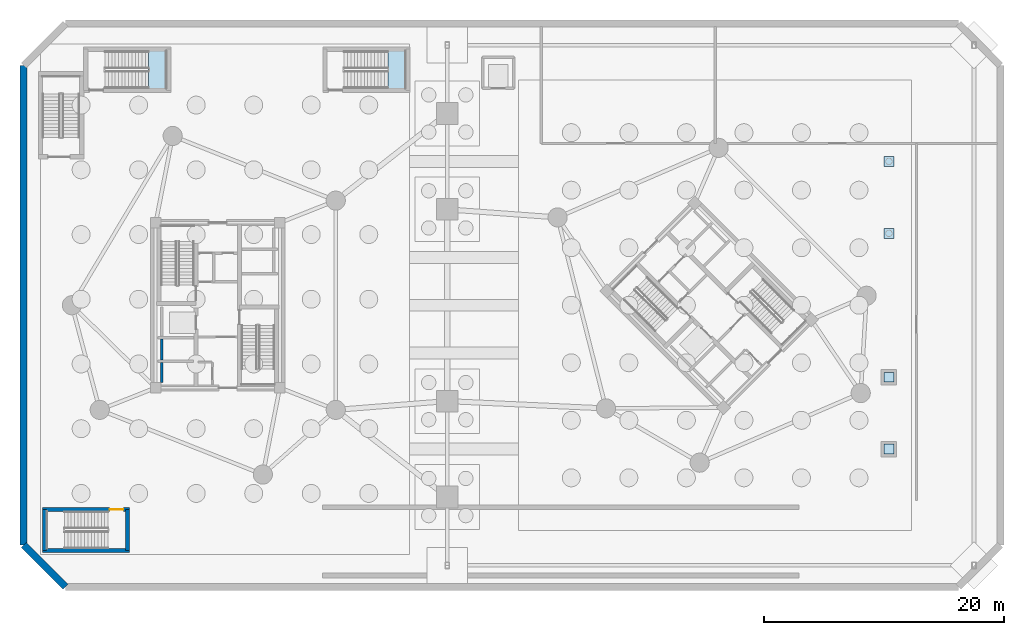
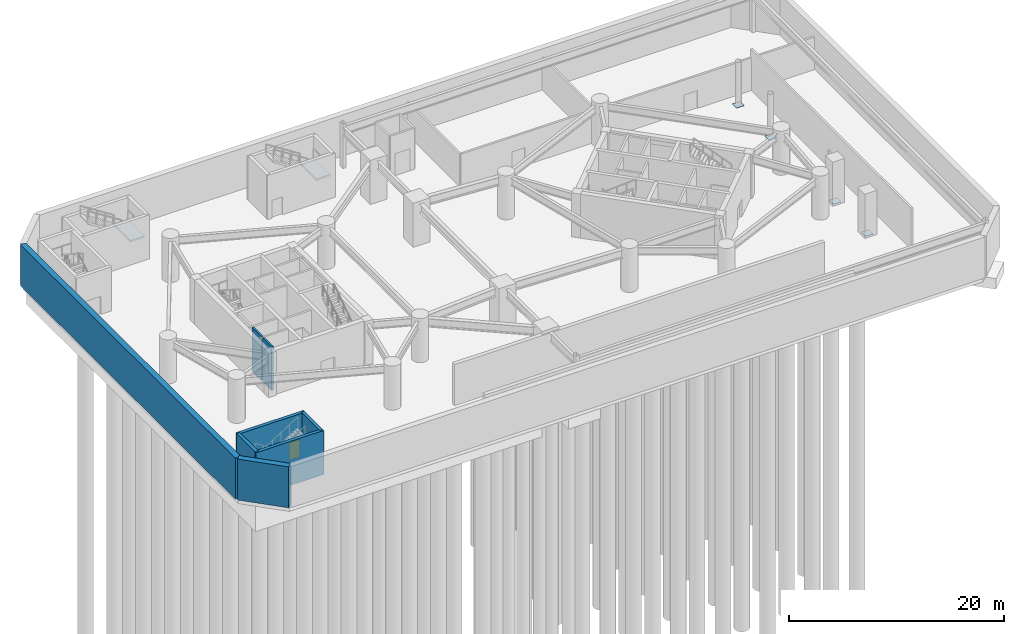
# One storey, part 5 of 15: 8 walls, 4 plates, 2 slabs, 1 door, 1 opening, 2 elements without a shape of their own.
"""IFC4 building model written with IfcOpenShell, lengths in metres."""

import ifcopenshell
import ifcopenshell.guid

model = None  # the IFC model being written
_history = None  # IfcOwnerHistory: only IFC2X3 demands one
_inside = {}  # id of a spatial element -> (the spatial element, [elements in it])
_under = {}  # id of a project, library or spatial element -> (it, [spatial elements below it])
_declared = {}  # id of a project -> (the project, [libraries it declares])
_typed = {}  # id of a type object -> (the type object, [elements of that type])
_made_of = {}  # id of a material, layer set ... -> (it, [elements and type objects made of it])


def new_model(schema):
    """Start an empty IFC model of exactly this schema.

    Asked for "IFC4X3", IfcOpenShell would pick the latest addendum, in which some entities
    have other attributes; the version numbers below select the first issue.
    IFC2X3 requires an IfcOwnerHistory on every rooted entity: one is made here for all.
    """
    global model, _history
    if schema == "IFC4X3":
        model = ifcopenshell.file(schema_version=(4, 3, 0, 0))
    else:
        model = ifcopenshell.file(schema=schema)
    _inside.clear()
    _under.clear()
    _declared.clear()
    _typed.clear()
    _made_of.clear()
    _history = None
    if model.schema == "IFC2X3":
        org = make("IfcOrganization", Name="unknown")
        user = make(
            "IfcPersonAndOrganization",
            ThePerson=make("IfcPerson", FamilyName="unknown"),
            TheOrganization=org,
        )
        app = make(
            "IfcApplication",
            ApplicationDeveloper=org,
            Version="unknown",
            ApplicationFullName="unknown",
            ApplicationIdentifier="unknown",
        )
        _history = make(
            "IfcOwnerHistory",
            OwningUser=user,
            OwningApplication=app,
            ChangeAction="ADDED",
            CreationDate=0,
        )
    return model


def make(cls, **values):
    """One entity of the class cls with the attributes given. An attribute that is None is left unset."""
    return model.create_entity(
        cls, **{name: value for name, value in values.items() if value is not None}
    )


def rooted(cls, **values):
    """An entity with a GlobalId (a new one), such as an element, a storey or a relation."""
    return make(cls, GlobalId=ifcopenshell.guid.new(), OwnerHistory=_history, **values)


def si_unit(unit_type, name, prefix=None):
    """IfcSIUnit, for example si_unit("LENGTHUNIT", "METRE", prefix="MILLI")."""
    return make("IfcSIUnit", UnitType=unit_type, Prefix=prefix, Name=name)


def assignment(units):
    """IfcUnitAssignment: the units of a project."""
    return None if units is None else make("IfcUnitAssignment", Units=units)


def point(xyz):
    """IfcCartesianPoint."""
    return None if xyz is None else make("IfcCartesianPoint", Coordinates=xyz)


def direction(xyz):
    """IfcDirection."""
    return None if xyz is None else make("IfcDirection", DirectionRatios=xyz)


def frame(location, z_axis=None, x_axis=None):
    """IfcAxis2Placement3D, a coordinate frame: its origin and axes. An axis left out is left unset."""
    return make(
        "IfcAxis2Placement3D",
        Location=point(location),
        Axis=direction(z_axis),
        RefDirection=direction(x_axis),
    )


def frame_2d(location, x_axis=None):
    """IfcAxis2Placement2D, a coordinate frame in the plane: its origin and x axis."""
    return make(
        "IfcAxis2Placement2D", Location=point(location), RefDirection=direction(x_axis)
    )


def origin():
    """The frame at (0, 0, 0) with its axes left unset."""
    return frame((0.0, 0.0, 0.0))


def origin_2d():
    """The frame at (0, 0) in the plane with its x axis left unset."""
    return frame_2d((0.0, 0.0))


def place(relative_to, where):
    """IfcLocalPlacement: puts the frame where relative to a parent placement (None: the world)."""
    return make(
        "IfcLocalPlacement", PlacementRelTo=relative_to, RelativePlacement=where
    )


def context(
    kind, dimensions, precision=None, world=None, true_north=None, identifier=None
):
    """IfcGeometricRepresentationContext, for example the 3D "Model" context."""
    return make(
        "IfcGeometricRepresentationContext",
        ContextIdentifier=identifier,
        ContextType=kind,
        CoordinateSpaceDimension=dimensions,
        Precision=precision,
        WorldCoordinateSystem=world,
        TrueNorth=true_north,
    )


def subcontext(parent, identifier, kind, view, scale=None):
    """IfcGeometricRepresentationSubContext, for example "Body" below "Model"."""
    return make(
        "IfcGeometricRepresentationSubContext",
        ContextIdentifier=identifier,
        ContextType=kind,
        ParentContext=parent,
        TargetScale=scale,
        TargetView=view,
    )


def project(units=None, contexts=None):
    """IfcProject with its units and contexts."""
    return rooted(
        "IfcProject",
        Name="project",
        RepresentationContexts=contexts,
        UnitsInContext=assignment(units),
    )


def spatial(cls, under=None, at=None, **own):
    """A site, building, storey or space (cls), placed at a placement, below another one or the project."""
    s = rooted(cls, ObjectPlacement=at, **own)
    if under is not None:
        _under.setdefault(under.id(), (under, []))[1].append(s)
    return s


def polyline(points):
    """IfcPolyline through the points."""
    return make("IfcPolyline", Points=[point(p) for p in points])


def profile(cls, at=None, kind="AREA", **sizes):
    """A parametric profile (cls). Its sizes go by their IFC names, for example OverallWidth=200.0."""
    return make(cls, ProfileType=kind, Position=at, **sizes)


def rectangle(**sizes):
    """IfcRectangleProfileDef."""
    return profile("IfcRectangleProfileDef", **sizes)


def outline(outer, holes=None, kind="AREA"):
    """IfcArbitraryClosedProfileDef: a profile drawn as a closed curve; with holes, ...WithVoids."""
    if holes is None:
        return make("IfcArbitraryClosedProfileDef", ProfileType=kind, OuterCurve=outer)
    return make(
        "IfcArbitraryProfileDefWithVoids",
        ProfileType=kind,
        OuterCurve=outer,
        InnerCurves=holes,
    )


def extrude(swept, where, along, depth):
    """IfcExtrudedAreaSolid: the profile swept, set in the frame where, extruded along a direction by depth."""
    return make(
        "IfcExtrudedAreaSolid",
        SweptArea=swept,
        Position=where,
        ExtrudedDirection=direction(along),
        Depth=depth,
    )


def shape(context_of_items, identifier, shape_type, items):
    """IfcShapeRepresentation: the items that make up one representation, for example the "Body"."""
    return make(
        "IfcShapeRepresentation",
        ContextOfItems=context_of_items,
        RepresentationIdentifier=identifier,
        RepresentationType=shape_type,
        Items=items,
    )


def source(mapping_origin, context_of_items, identifier, shape_type, items):
    """IfcRepresentationMap: a shape defined once, which mapped items show again and again."""
    return make(
        "IfcRepresentationMap",
        MappingOrigin=mapping_origin,
        MappedRepresentation=shape(context_of_items, identifier, shape_type, items),
    )


def transform(
    local_origin,
    x_axis=None,
    y_axis=None,
    z_axis=None,
    scale=None,
    scale2=None,
    scale3=None,
    uniform=True,
):
    """IfcCartesianTransformationOperator3D, or its non-uniform kind. x_axis, y_axis, z_axis: its Axis1, 2, 3."""
    if uniform:
        return make(
            "IfcCartesianTransformationOperator3D",
            Axis1=direction(x_axis),
            Axis2=direction(y_axis),
            LocalOrigin=point(local_origin),
            Scale=scale,
            Axis3=direction(z_axis),
        )
    return make(
        "IfcCartesianTransformationOperator3DnonUniform",
        Axis1=direction(x_axis),
        Axis2=direction(y_axis),
        LocalOrigin=point(local_origin),
        Scale=scale,
        Axis3=direction(z_axis),
        Scale2=scale2,
        Scale3=scale3,
    )


def mapped(mapping_source, mapping_target):
    """IfcMappedItem: shows the shape of a source again, moved by a transform."""
    return make(
        "IfcMappedItem", MappingSource=mapping_source, MappingTarget=mapping_target
    )


def material(Name=None, Category=None):
    """IfcMaterial."""
    return make("IfcMaterial", Name=Name, Category=Category)


def layer(
    of_material, thickness, ventilated=None, Name=None, Category=None, Priority=None
):
    """IfcMaterialLayer: one layer of a wall or slab, of a material (None: an air gap)."""
    return make(
        "IfcMaterialLayer",
        Material=of_material,
        LayerThickness=thickness,
        IsVentilated=ventilated,
        Name=Name,
        Category=Category,
        Priority=Priority,
    )


def layer_set(layers, Name=None):
    """IfcMaterialLayerSet."""
    return make("IfcMaterialLayerSet", MaterialLayers=layers, LayerSetName=Name)


def made_of(thing, what):
    """Note that an element or type object is made of a material, layer set ...; save() writes the relation."""
    if what is not None:
        _made_of.setdefault(what.id(), (what, []))[1].append(thing)
    return thing


def type_object(cls, material=None, **own):
    """A type object (cls), such as IfcWallType, which elements share."""
    return made_of(rooted(cls, **own), material)


def element(
    cls,
    number,
    at=None,
    inside=None,
    cuts=None,
    type_object=None,
    material=None,
    context=None,
    identifier="Body",
    shape_type=None,
    held_by="IfcProductDefinitionShape",
    body=None,
    shapes=None,
    **own,
):
    """One element of the class cls, such as IfcWall. Its Tag is "e" and its number.

    at: its placement. inside: the storey or other place that contains it. cuts: it is an
    opening in that element (IfcRelVoidsElement). A single representation is given by context,
    identifier, shape_type and body (its items); several are given by shapes. held_by: the class
    of the entity that holds the representations. save() writes the other relations.
    """
    e = rooted(cls, Tag="e%d" % number, ObjectPlacement=at, **own)
    if body is not None:
        shapes = [shape(context, identifier, shape_type, body)]
    if shapes is not None:
        e.Representation = make(held_by, Representations=shapes)
    if inside is not None:
        _inside.setdefault(inside.id(), (inside, []))[1].append(e)
    if cuts is not None:
        rooted(
            "IfcRelVoidsElement", RelatingBuildingElement=cuts, RelatedOpeningElement=e
        )
    if type_object is not None:
        _typed.setdefault(type_object.id(), (type_object, []))[1].append(e)
    return made_of(e, material)


def fill(opening, filler):
    """IfcRelFillsElement: the door or window that sits in an opening."""
    return rooted(
        "IfcRelFillsElement",
        RelatingOpeningElement=opening,
        RelatedBuildingElement=filler,
    )


def aggregate(whole, parts):
    """IfcRelAggregates: a whole, such as a stair, and the parts it consists of."""
    return rooted("IfcRelAggregates", RelatingObject=whole, RelatedObjects=parts)


def save(model, path):
    """Write the relations noted so far, then the file.

    IfcRelAggregates (storeys below a building ...), IfcRelContainedInSpatialStructure (elements
    in a storey), IfcRelDefinesByType, IfcRelAssociatesMaterial and IfcRelDeclares: one each for
    every whole, place, type object, material and project.
    """
    for whole, parts in _under.values():
        aggregate(whole, parts)
    for where, things in _inside.values():
        rooted(
            "IfcRelContainedInSpatialStructure",
            RelatedElements=things,
            RelatingStructure=where,
        )
    for kind, things in _typed.values():
        rooted("IfcRelDefinesByType", RelatedObjects=things, RelatingType=kind)
    for what, things in _made_of.values():
        rooted("IfcRelAssociatesMaterial", RelatedObjects=things, RelatingMaterial=what)
    for by, libraries in _declared.values():
        rooted("IfcRelDeclares", RelatingContext=by, RelatedDefinitions=libraries)
    model.write(path)


model = new_model("IFC4")

# Units and contexts
model_context = context("Model", 3, precision=1e-05, world=origin(), true_north=direction((0.0, 1.0)))
body_context = subcontext(model_context, "Body", "Model", "MODEL_VIEW")
ifc_project = project(units=[si_unit("LENGTHUNIT", "METRE"), si_unit("AREAUNIT", "SQUARE_METRE"), si_unit("VOLUMEUNIT", "CUBIC_METRE"), si_unit("PLANEANGLEUNIT", "RADIAN"), si_unit("MASSUNIT", "GRAM", prefix="KILO")], contexts=[model_context])

# Site, building, storey
site_placement = place(None, origin())
site = spatial("IfcSite", under=ifc_project, at=site_placement, CompositionType="ELEMENT")
building_placement = place(site_placement, origin())
building = spatial("IfcBuilding", under=site, at=building_placement, Name="Cununo Teusaquillo Station Towers", CompositionType="ELEMENT")
storey_placement = place(building_placement, frame((0.0, 0.0, -10.0)))
storey = spatial("IfcBuildingStorey", under=building, at=storey_placement, Name="B02", CompositionType="ELEMENT", Elevation=-10.0)

# Stair, slab
ifc_material_1 = material(Name="Concrete C50/60", Category="concrete")
stair_type = type_object("IfcStairType", Name="ST-POD-1450", PredefinedType="HALF_TURN_STAIR", material=ifc_material_1)
stair_1_placement = place(storey_placement, origin())
stair_1 = element("IfcStair", 1, at=stair_1_placement, inside=storey, type_object=stair_type, Name="B02 Station Podium North Protected Exit Stair", PredefinedType="HALF_TURN_STAIR")
ifc_material_2 = material(Name="Concrete C50/60", Category="concrete")
ifc_layer_1 = layer(ifc_material_2, 0.199951171875)
ifc_layer_set_1 = layer_set([ifc_layer_1], Name="Concrete C50/60")
slab_type = type_object("IfcSlabType", Name="SLB-STAIR-LND", PredefinedType="LANDING", material=ifc_layer_set_1)
slab_1_placement = place(storey_placement, frame((0.0, 0.0, 2.300048828125)))
slab_1 = element("IfcSlab", 2, at=slab_1_placement, type_object=slab_type, Name="ST-POD-N landing 1", PredefinedType="LANDING", context=body_context, shape_type="SweptSolid", body=[
    extrude(outline(polyline([(30.68994140625, 42.60009765625), (32.199951171875, 42.60009765625), (32.199951171875, 45.699951171875), (30.68994140625, 45.699951171875), (30.68994140625, 42.60009765625)])), origin(), (0.0, 0.0, 1.0), 0.199951171875),
])
aggregate(stair_1, [slab_1])

stair_2_placement = place(storey_placement, origin())
stair_2 = element("IfcStair", 3, at=stair_2_placement, inside=storey, type_object=stair_type, Name="B02 Station Podium North-West Protected Exit Stair", PredefinedType="HALF_TURN_STAIR")
slab_2_placement = place(storey_placement, frame((0.0, 0.0, 2.300048828125)))
slab_2 = element("IfcSlab", 4, at=slab_2_placement, type_object=slab_type, Name="ST-POD-C landing 1", PredefinedType="LANDING", context=body_context, shape_type="SweptSolid", body=[
    extrude(outline(polyline([(10.739990234375, 42.60009765625), (12.25, 42.60009765625), (12.25, 45.699951171875), (10.739990234375, 45.699951171875), (10.739990234375, 42.60009765625)])), origin(), (0.0, 0.0, 1.0), 0.199951171875),
])
aggregate(stair_2, [slab_2])

# Plates
ifc_material_3 = material(Name="Steel ASTM A572 Grade 50", Category="steel")
ifc_layer_2 = layer(ifc_material_3, 0.0400390625)
ifc_layer_set_2 = layer_set([ifc_layer_2], Name="Steel ASTM A572 Grade 50")
plate_type = type_object("IfcPlateType", Name="PLT-NODE-CRN1", PredefinedType="USERDEFINED", material=ifc_layer_set_2)
shared_shape_1 = source(origin(), body_context, "Body", "SweptSolid", [
    extrude(rectangle(XDim=0.820068359375, YDim=0.820068359375, at=origin_2d()), origin(), (0.0, 0.0, 1.0), 0.0400390625),
])
for number, where, z_axis, x_axis, name in (
    (5, (72.5, 12.5, -0.0400390625), (0.0, 0.0, 1.0), (1.0, 0.0, 0.0), "B02 East Gallery Column Base Cap Plate 1"),
    (6, (72.5, 18.5, -0.0400390625), (0.0, 0.0, 1.0), (1.0, 0.0, 0.0), "B02 East Gallery Column Base Cap Plate 2"),
    (7, (72.5, 30.5, -0.0400390625), (0.0, 0.0, 1.0), (1.0, 0.0, 0.0), "B02 East Gallery Column Base Cap Plate 3"),
    (8, (72.5, 36.5, -0.0400390625), (0.0, 0.0, 1.0), (1.0, 0.0, 0.0), "B02 East Gallery Column Base Cap Plate 4"),
):
    element("IfcPlate", number, at=place(storey_placement, frame(where, z_axis=z_axis, x_axis=x_axis)), inside=storey, type_object=plate_type, Name=name, ObjectType="GUSSET PLATE", PredefinedType="USERDEFINED", context=body_context, shape_type="MappedRepresentation", body=[
        mapped(shared_shape_1, transform((0.0, 0.0, 0.0), x_axis=(1.0, 0.0, 0.0), y_axis=(0.0, 1.0, 0.0), z_axis=(0.0, 0.0, 1.0), scale=1.0)),
    ])

# Walls
ifc_material_4 = material(Name="Concrete C50/60", Category="concrete")
ifc_layer_3 = layer(ifc_material_4, 0.199951171875)
ifc_layer_set_3 = layer_set([ifc_layer_3], Name="Concrete C50/60")
wall_type_1 = type_object("IfcWallType", Name="WL-CORE-200", PredefinedType="SHEAR", material=ifc_layer_set_3)
wall_1_placement = place(storey_placement, frame((11.820068359375, 19.945068359375, 0.0), z_axis=(0.0, 0.0, 1.0), x_axis=(0.0, 1.0, 0.0)))
element("IfcWall", 9, at=wall_1_placement, inside=storey, type_object=wall_type_1, Name="B02 Tower A High-Rise Lift 2 Shaft Rear Shear Wall", PredefinedType="SHEAR", context=body_context, shape_type="SweptSolid", body=[
    extrude(rectangle(XDim=1.73486328125, YDim=0.199951171875, at=frame_2d((0.867431640625, 0.0))), origin(), (0.0, 0.0, 1.0), 5.0),
])
wall_2_placement = place(storey_placement, frame((11.820068359375, 18.070068359375, 0.0), z_axis=(0.0, 0.0, 1.0), x_axis=(0.0, 1.0, 0.0)))
element("IfcWall", 10, at=wall_2_placement, inside=storey, type_object=wall_type_1, Name="B02 Tower A High-Rise Lift 1 Shaft Rear Shear Wall", PredefinedType="SHEAR", context=body_context, shape_type="SweptSolid", body=[
    extrude(rectangle(XDim=1.635009765625, YDim=0.199951171875, at=frame_2d((0.8173828125, 0.0))), origin(), (0.0, 0.0, 1.0), 5.0),
])
ifc_material_5 = material(Name="Concrete C50/60", Category="concrete")
ifc_layer_4 = layer(ifc_material_5, 0.35009765625)
ifc_layer_set_4 = layer_set([ifc_layer_4], Name="Concrete C50/60")
wall_type_2 = type_object("IfcWallType", Name="WL-CORE-350", PredefinedType="SHEAR", material=ifc_layer_set_4)
wall_3_placement = place(storey_placement, frame((1.860107421875, 4.034912109375, 0.0), z_axis=(0.0, 0.0, 1.0), x_axis=(1.0, 0.0, 0.0)))
element("IfcWall", 11, at=wall_3_placement, inside=storey, type_object=wall_type_2, Name="B02 Podium South Exit Stair Concrete Shaft Wall S", PredefinedType="SHEAR", context=body_context, shape_type="SweptSolid", body=[
    extrude(rectangle(XDim=7.27978515625, YDim=0.35009765625, at=frame_2d((3.639892578125, 0.0))), origin(), (0.0, 0.0, 1.0), 5.0),
])

# Wall, opening, door
wall_4_placement = place(storey_placement, frame((1.860107421875, 7.465087890625, 0.0), z_axis=(0.0, 0.0, 1.0), x_axis=(1.0, 0.0, 0.0)))
wall_4 = element("IfcWall", 12, at=wall_4_placement, inside=storey, type_object=wall_type_2, Name="B02 Podium South Exit Stair Concrete Shaft Wall N", PredefinedType="SHEAR", context=body_context, shape_type="SweptSolid", body=[
    extrude(rectangle(XDim=7.27978515625, YDim=0.35009765625, at=frame_2d((3.639892578125, 0.0))), origin(), (0.0, 0.0, 1.0), 5.0),
])
shared_shape_2 = source(origin(), body_context, "Body", "SweptSolid", [
    extrude(rectangle(XDim=1.14990234375, YDim=2.02001953125, at=frame_2d((0.574951171875, 1.010009765625))), frame((0.0, 0.18505859375, 0.0), z_axis=(0.0, -1.0, 0.0), x_axis=(1.0, 0.0, 0.0)), (0.0, 0.0, 1.0), 0.3701171875),
])
opening_placement = place(wall_4_placement, frame((5.6201171875, 0.0, 0.0)))
opening = element("IfcOpeningElement", 13, at=opening_placement, cuts=wall_4, Name="Opening D-ST1", PredefinedType="OPENING", context=body_context, shape_type="MappedRepresentation", body=[
    mapped(shared_shape_2, transform((0.0, 0.0, 0.0), x_axis=(1.0, 0.0, 0.0), y_axis=(0.0, 1.0, 0.0), z_axis=(0.0, 0.0, 1.0), scale=1.0)),
])
ifc_material_6 = material(Name="Galvanised fire-rated hollow steel door assembly", Category="steel")
door_type = type_object("IfcDoorType", Name="DR-STAIR-1150", OperationType="NOTDEFINED", PredefinedType="DOOR", material=ifc_material_6)
shared_shape_3 = source(origin(), body_context, "Body", "SweptSolid", [
    extrude(rectangle(XDim=1.14990234375, YDim=2.02001953125, at=frame_2d((0.574951171875, 1.010009765625))), frame((0.0, 0.02490234375, 0.0), z_axis=(0.0, -1.0, 0.0), x_axis=(1.0, 0.0, 0.0)), (0.0, 0.0, 1.0), 0.050048828125),
])
door_placement = place(opening_placement, origin())
door = element("IfcDoor", 14, at=door_placement, inside=storey, type_object=door_type, Name="B02 South Podium Exit Stair Door", OperationType="SINGLE_SWING_LEFT", OverallHeight=2.02001953125, OverallWidth=1.14990234375, PredefinedType="DOOR", context=body_context, shape_type="MappedRepresentation", body=[
    mapped(shared_shape_3, transform((0.0, 0.0, 0.0), x_axis=(1.0, 0.0, 0.0), y_axis=(0.0, 1.0, 0.0), z_axis=(0.0, 0.0, 1.0), scale=1.0)),
])
fill(opening, door)

# Walls
for number, where, z_axis, x_axis, name in (
    (15, (2.034912109375, 4.034912109375, 0.0), (0.0, 0.0, 1.0), (0.0, 1.0, 0.0), "B02 Podium South Exit Stair Concrete Shaft Wall W"),
    (16, (8.965087890625, 4.034912109375, 0.0), (0.0, 0.0, 1.0), (0.0, 1.0, 0.0), "B02 Podium South Exit Stair Concrete Shaft Wall E"),
):
    element("IfcWall", number, at=place(storey_placement, frame(where, z_axis=z_axis, x_axis=x_axis)), inside=storey, type_object=wall_type_2, Name=name, PredefinedType="SHEAR", context=body_context, shape_type="SweptSolid", body=[
        extrude(rectangle(XDim=3.43017578125, YDim=0.35009765625, at=frame_2d((1.715087890625, 0.0))), origin(), (0.0, 0.0, 1.0), 5.0),
    ])
ifc_material_7 = material(Name="Concrete C50/60", Category="concrete")
ifc_layer_5 = layer(ifc_material_7, 0.60009765625)
ifc_layer_set_5 = layer_set([ifc_layer_5], Name="Concrete C50/60")
wall_type_3 = type_object("IfcWallType", Name="WL-RET-600", PredefinedType="SOLIDWALL", material=ifc_layer_set_5)
wall_5_placement = place(storey_placement, frame((0.300048828125, 44.5, 0.0), z_axis=(0.0, 0.0, 1.0), x_axis=(0.0, -1.0, 0.0)))
element("IfcWall", 17, at=wall_5_placement, inside=storey, type_object=wall_type_3, Name="B02 Basement Diaphragm Retaining Wall 7", PredefinedType="SOLIDWALL", context=body_context, shape_type="SweptSolid", body=[
    extrude(rectangle(XDim=40.0, YDim=0.60009765625, at=frame_2d((20.0, 0.0))), origin(), (0.0, 0.0, 1.0), 4.659912109375),
])
wall_6_placement = place(storey_placement, frame((0.300048828125, 4.5, 0.0), z_axis=(0.0, 0.0, 1.0), x_axis=(0.707106781187, -0.707106781187, 0.0)))
element("IfcWall", 18, at=wall_6_placement, inside=storey, type_object=wall_type_3, Name="B02 Basement Diaphragm Retaining Wall 8", PredefinedType="SOLIDWALL", context=body_context, shape_type="SweptSolid", body=[
    extrude(rectangle(XDim=4.94970703125, YDim=0.60009765625, at=frame_2d((2.474853515625, 0.0))), origin(), (0.0, 0.0, 1.0), 4.659912109375),
])

save(model, "model.ifc")
